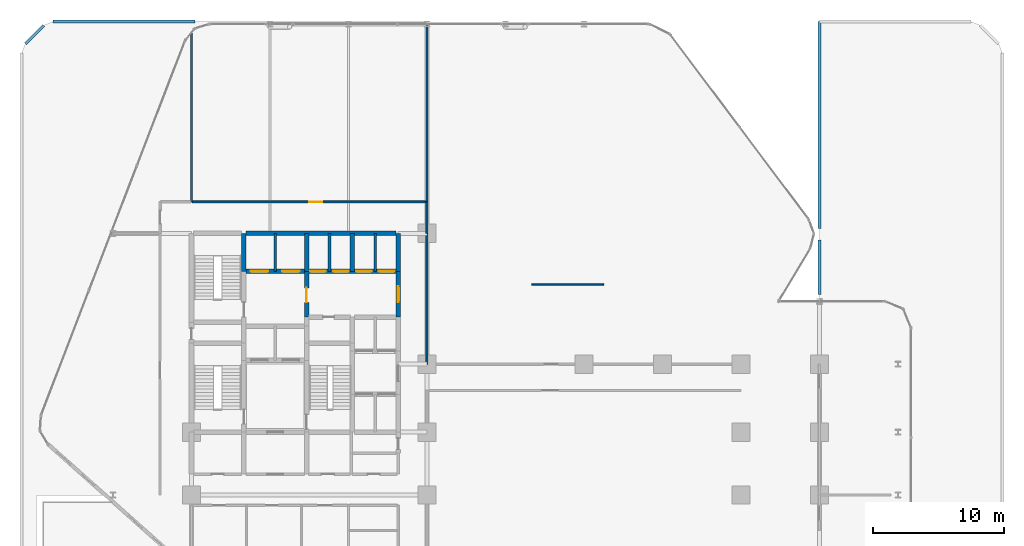
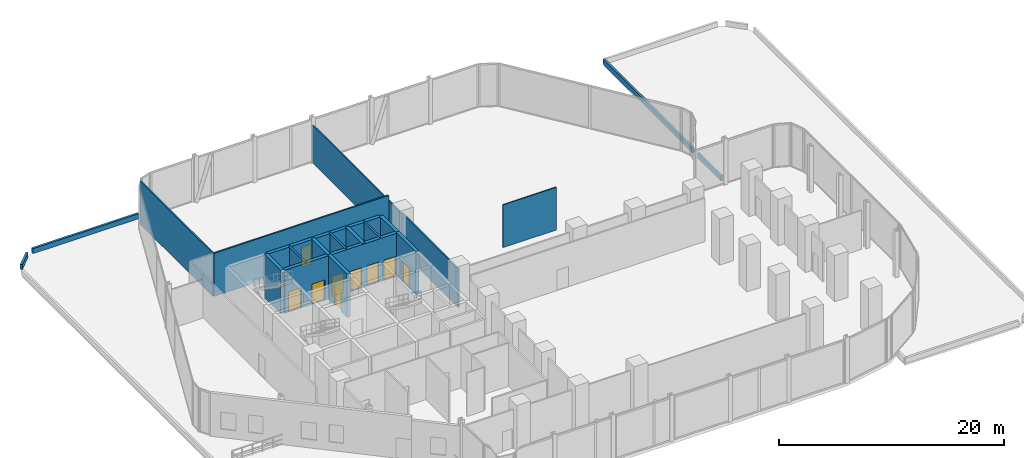
# One storey, part 26 of 29: 21 walls, 9 doors, 9 openings.
"""IFC4 building model written with IfcOpenShell, lengths in metres."""

from ifc_helpers import new_model, si_unit, direction, frame, frame_2d, origin, place, context, subcontext, project, spatial, rectangle, extrude, material, layer, layer_set, type_object, element, fill, save


model = new_model("IFC4")

# Units and contexts
model_context = context("Model", 3, precision=1e-05, world=origin(), true_north=direction((0.0, 1.0)))
body_context = subcontext(model_context, "Body", "Model", "MODEL_VIEW")
ifc_project = project(units=[si_unit("LENGTHUNIT", "METRE"), si_unit("AREAUNIT", "SQUARE_METRE"), si_unit("VOLUMEUNIT", "CUBIC_METRE"), si_unit("PLANEANGLEUNIT", "RADIAN"), si_unit("MASSUNIT", "GRAM", prefix="KILO")], contexts=[model_context])

# Site, building, storey
site_placement = place(None, origin())
site = spatial("IfcSite", under=ifc_project, at=site_placement, CompositionType="ELEMENT")
building_placement = place(site_placement, origin())
building = spatial("IfcBuilding", under=site, at=building_placement, Name="Keshet Zoharim Tower", CompositionType="ELEMENT")
storey_placement = place(building_placement, frame((0.0, 0.0, 19.0)))
storey = spatial("IfcBuildingStorey", under=building, at=storey_placement, Name="L03", CompositionType="ELEMENT", Elevation=19.0)

# Wall
ifc_material_1 = material(Name="Gypsum Plasterboard", Category="gypsum")
ifc_layer_1 = layer(ifc_material_1, 0.14990234375)
ifc_layer_set_1 = layer_set([ifc_layer_1], Name="Gypsum Plasterboard")
wall_type_1 = type_object("IfcWallType", Name="WL-CLIN-150", PredefinedType="STANDARD", material=ifc_layer_set_1)
wall_1_placement = place(storey_placement, frame((33.0, 27.89990234375, 0.0), z_axis=(0.0, 0.0, 1.0), x_axis=(0.0, 1.0, 0.0)))
element("IfcWall", 1, at=wall_1_placement, inside=storey, type_object=wall_type_1, Name="L03 Interior Wall 048", PredefinedType="STANDARD", context=body_context, shape_type="SweptSolid", body=[
    extrude(rectangle(XDim=10.0, YDim=0.14990234375, at=frame_2d((5.0, 0.0))), origin(), (0.0, 0.0, 1.0), 4.18505859375),
])

# Wall, opening, door
wall_2_placement = place(storey_placement, frame((15.044921875, 40.300048828125, 0.0), z_axis=(0.0, 0.0, 1.0), x_axis=(1.0, 0.0, 0.0)))
wall_2 = element("IfcWall", 2, at=wall_2_placement, inside=storey, type_object=wall_type_1, Name="L03 Interior Wall 085", PredefinedType="STANDARD", context=body_context, shape_type="SweptSolid", body=[
    extrude(rectangle(XDim=17.89501953125, YDim=0.14990234375, at=frame_2d((8.947509765625, 0.0))), origin(), (0.0, 0.0, 1.0), 4.68505859375),
])
opening_1_placement = place(wall_2_placement, frame((8.955078125, 0.0, 0.0)))
opening_1 = element("IfcOpeningElement", 3, at=opening_1_placement, cuts=wall_2, Name="Opening D-F310", PredefinedType="OPENING", context=body_context, shape_type="SweptSolid", body=[
    extrude(rectangle(XDim=1.0, YDim=2.14990234375, at=frame_2d((0.5, 1.074951171875))), frame((0.0, 0.0849609375, 0.0), z_axis=(0.0, -1.0, 0.0), x_axis=(1.0, 0.0, 0.0)), (0.0, 0.0, 1.0), 0.169921875),
])
ifc_material_2 = material(Name="Hardwood Timber", Category="wood")
door_type_1 = type_object("IfcDoorType", Name="DR-FD30-100", OperationType="NOTDEFINED", PredefinedType="DOOR", material=ifc_material_2)
door_1_placement = place(opening_1_placement, origin())
door_1 = element("IfcDoor", 4, at=door_1_placement, inside=storey, type_object=door_type_1, Name="L03 Early Childhood Creche Door", OperationType="SINGLE_SWING_LEFT", OverallHeight=2.14990234375, OverallWidth=1.0, PredefinedType="DOOR", context=body_context, shape_type="SweptSolid", body=[
    extrude(rectangle(XDim=1.0, YDim=2.14990234375, at=frame_2d((0.5, 1.074951171875))), frame((0.0, 0.02490234375, 0.0), z_axis=(0.0, -1.0, 0.0), x_axis=(1.0, 0.0, 0.0)), (0.0, 0.0, 1.0), 0.050048828125),
])
fill(opening_1, door_1)

# Walls
wall_3_placement = place(storey_placement, frame((33.0, 37.89990234375, 0.0), z_axis=(0.0, 0.0, 1.0), x_axis=(0.0, 1.0, 0.0)))
element("IfcWall", 5, at=wall_3_placement, inside=storey, type_object=wall_type_1, Name="L03 Interior Wall 048 Part 2", PredefinedType="STANDARD", context=body_context, shape_type="SweptSolid", body=[
    extrude(rectangle(XDim=2.400146484375, YDim=0.14990234375, at=frame_2d((1.2001953125, 0.0))), origin(), (0.0, 0.0, 1.0), 4.0849609375),
])
ifc_material_3 = material(Name="Concrete C60/75", Category="concrete")
ifc_layer_2 = layer(ifc_material_3, 0.35009765625)
ifc_layer_set_2 = layer_set([ifc_layer_2], Name="Concrete C60/75")
wall_type_2 = type_object("IfcWallType", Name="WL-CORE-350", PredefinedType="SHEAR", material=ifc_layer_set_2)
wall_4_placement = place(storey_placement, frame((19.0, 35.0, 0.0), z_axis=(0.0, 0.0, 1.0), x_axis=(0.0, 1.0, 0.0)))
element("IfcWall", 6, at=wall_4_placement, inside=storey, type_object=wall_type_2, Name="L03 Core Shear Wall 013", PredefinedType="SHEAR", context=body_context, shape_type="SweptSolid", body=[
    extrude(rectangle(XDim=2.89990234375, YDim=0.35009765625, at=frame_2d((1.449951171875, 0.0))), origin(), (0.0, 0.0, 1.0), 4.68505859375),
])

# Wall, opening, door
wall_5_placement = place(storey_placement, frame((23.800048828125, 31.5, 0.0), z_axis=(0.0, 0.0, 1.0), x_axis=(0.0, 1.0, 0.0)))
wall_5 = element("IfcWall", 7, at=wall_5_placement, inside=storey, type_object=wall_type_2, Name="L03 Core Shear Wall 023", PredefinedType="SHEAR", context=body_context, shape_type="SweptSolid", body=[
    extrude(rectangle(XDim=3.5, YDim=0.35009765625, at=frame_2d((1.75, 0.0))), origin(), (0.0, 0.0, 1.0), 4.68505859375),
])
opening_2_placement = place(wall_5_placement, frame((1.126953125, 0.0, 0.0)))
opening_2 = element("IfcOpeningElement", 8, at=opening_2_placement, cuts=wall_5, Name="Opening D-F611", PredefinedType="OPENING", context=body_context, shape_type="SweptSolid", body=[
    extrude(rectangle(XDim=1.10009765625, YDim=2.14990234375, at=frame_2d((0.550048828125, 1.074951171875))), frame((0.0, 0.18505859375, 0.0), z_axis=(0.0, -1.0, 0.0), x_axis=(1.0, 0.0, 0.0)), (0.0, 0.0, 1.0), 0.3701171875),
])
door_type_2 = type_object("IfcDoorType", Name="DR-FD60-110", OperationType="NOTDEFINED", PredefinedType="DOOR", material=ifc_material_2)
door_2_placement = place(opening_2_placement, origin())
door_2 = element("IfcDoor", 9, at=door_2_placement, inside=storey, type_object=door_type_2, Name="L03 Firefighting Lobby Fire Door", OperationType="SINGLE_SWING_RIGHT", OverallHeight=2.14990234375, OverallWidth=1.10009765625, PredefinedType="DOOR", context=body_context, shape_type="SweptSolid", body=[
    extrude(rectangle(XDim=1.10009765625, YDim=2.14990234375, at=frame_2d((0.550048828125, 1.074951171875))), frame((0.0, 0.02490234375, 0.0), z_axis=(0.0, -1.0, 0.0), x_axis=(1.0, 0.0, 0.0)), (0.0, 0.0, 1.0), 0.050048828125),
])
fill(opening_2, door_2)

# Walls
for number, where, z_axis, x_axis, name in (
    (10, (23.800048828125, 35.0, 0.0), (0.0, 0.0, 1.0), (0.0, 1.0, 0.0), "L03 Core Shear Wall 024"),
    (11, (27.300048828125, 35.0, 0.0), (0.0, 0.0, 1.0), (0.0, 1.0, 0.0), "L03 Core Shear Wall 034"),
):
    element("IfcWall", number, at=place(storey_placement, frame(where, z_axis=z_axis, x_axis=x_axis)), inside=storey, type_object=wall_type_2, Name=name, PredefinedType="SHEAR", context=body_context, shape_type="SweptSolid", body=[
        extrude(rectangle(XDim=2.89990234375, YDim=0.35009765625, at=frame_2d((1.449951171875, 0.0))), origin(), (0.0, 0.0, 1.0), 4.68505859375),
    ])

# Wall, opening, door
wall_6_placement = place(storey_placement, frame((30.800048828125, 31.5, 0.0), z_axis=(0.0, 0.0, 1.0), x_axis=(0.0, 1.0, 0.0)))
wall_6 = element("IfcWall", 12, at=wall_6_placement, inside=storey, type_object=wall_type_2, Name="L03 Core Shear Wall 045", PredefinedType="SHEAR", context=body_context, shape_type="SweptSolid", body=[
    extrude(rectangle(XDim=3.5, YDim=0.35009765625, at=frame_2d((1.75, 0.0))), origin(), (0.0, 0.0, 1.0), 4.68505859375),
])
opening_3_placement = place(wall_6_placement, frame((1.14990234375, 0.0, 0.0)))
opening_3 = element("IfcOpeningElement", 13, at=opening_3_placement, cuts=wall_6, Name="Opening D-F612", PredefinedType="OPENING", context=body_context, shape_type="SweptSolid", body=[
    extrude(rectangle(XDim=1.199951171875, YDim=2.199951171875, at=frame_2d((0.60009765625, 1.10009765625))), frame((0.0, 0.18505859375, 0.0), z_axis=(0.0, -1.0, 0.0), x_axis=(1.0, 0.0, 0.0)), (0.0, 0.0, 1.0), 0.3701171875),
])
door_type_3 = type_object("IfcDoorType", Name="DR-FD60-120", OperationType="NOTDEFINED", PredefinedType="DOOR", material=ifc_material_2)
door_3_placement = place(opening_3_placement, origin())
door_3 = element("IfcDoor", 14, at=door_3_placement, inside=storey, type_object=door_type_3, Name="L03 North Lift Lobby East Fire Door", OperationType="SINGLE_SWING_LEFT", OverallHeight=2.199951171875, OverallWidth=1.199951171875, PredefinedType="DOOR", context=body_context, shape_type="SweptSolid", body=[
    extrude(rectangle(XDim=1.199951171875, YDim=2.199951171875, at=frame_2d((0.60009765625, 1.10009765625))), frame((0.0, 0.02490234375, 0.0), z_axis=(0.0, -1.0, 0.0), x_axis=(1.0, 0.0, 0.0)), (0.0, 0.0, 1.0), 0.050048828125),
])
fill(opening_3, door_3)

# Wall
wall_7_placement = place(storey_placement, frame((30.800048828125, 35.0, 0.0), z_axis=(0.0, 0.0, 1.0), x_axis=(0.0, 1.0, 0.0)))
element("IfcWall", 15, at=wall_7_placement, inside=storey, type_object=wall_type_2, Name="L03 Core Shear Wall 046", PredefinedType="SHEAR", context=body_context, shape_type="SweptSolid", body=[
    extrude(rectangle(XDim=2.89990234375, YDim=0.35009765625, at=frame_2d((1.449951171875, 0.0))), origin(), (0.0, 0.0, 1.0), 4.68505859375),
])

# Wall, openings, doors
wall_8_placement = place(storey_placement, frame((19.159912109375, 35.0, 0.0), z_axis=(0.0, 0.0, 1.0), x_axis=(1.0, 0.0, 0.0)))
wall_8 = element("IfcWall", 16, at=wall_8_placement, inside=storey, type_object=wall_type_2, Name="L03 Core Shear Wall 080", PredefinedType="SHEAR", context=body_context, shape_type="SweptSolid", body=[
    extrude(rectangle(XDim=11.47998046875, YDim=0.35009765625, at=frame_2d((5.739990234375, 0.0))), origin(), (0.0, 0.0, 1.0), 4.68505859375),
])
opening_4_placement = place(wall_8_placement, frame((0.364990234375, 0.0, 0.0)))
opening_4 = element("IfcOpeningElement", 17, at=opening_4_placement, cuts=wall_8, Name="Opening LD-02", PredefinedType="OPENING", context=body_context, shape_type="SweptSolid", body=[
    extrude(rectangle(XDim=1.35009765625, YDim=2.199951171875, at=frame_2d((0.675048828125, 1.10009765625))), frame((0.0, 0.18505859375, 0.0), z_axis=(0.0, -1.0, 0.0), x_axis=(1.0, 0.0, 0.0)), (0.0, 0.0, 1.0), 0.3701171875),
])
opening_5_placement = place(wall_8_placement, frame((2.764892578125, 0.0, 0.0)))
opening_5 = element("IfcOpeningElement", 18, at=opening_5_placement, cuts=wall_8, Name="Opening LD-02", PredefinedType="OPENING", context=body_context, shape_type="SweptSolid", body=[
    extrude(rectangle(XDim=1.35009765625, YDim=2.199951171875, at=frame_2d((0.675048828125, 1.10009765625))), frame((0.0, 0.18505859375, 0.0), z_axis=(0.0, -1.0, 0.0), x_axis=(1.0, 0.0, 0.0)), (0.0, 0.0, 1.0), 0.3701171875),
])
opening_6_placement = place(wall_8_placement, frame((4.9150390625, 0.0, 0.0)))
opening_6 = element("IfcOpeningElement", 19, at=opening_6_placement, cuts=wall_8, Name="Opening LD-03", PredefinedType="OPENING", context=body_context, shape_type="SweptSolid", body=[
    extrude(rectangle(XDim=1.199951171875, YDim=2.199951171875, at=frame_2d((0.60009765625, 1.10009765625))), frame((0.0, 0.18505859375, 0.0), z_axis=(0.0, -1.0, 0.0), x_axis=(1.0, 0.0, 0.0)), (0.0, 0.0, 1.0), 0.3701171875),
])
opening_7_placement = place(wall_8_placement, frame((6.6650390625, 0.0, 0.0)))
opening_7 = element("IfcOpeningElement", 20, at=opening_7_placement, cuts=wall_8, Name="Opening LD-03", PredefinedType="OPENING", context=body_context, shape_type="SweptSolid", body=[
    extrude(rectangle(XDim=1.199951171875, YDim=2.199951171875, at=frame_2d((0.60009765625, 1.10009765625))), frame((0.0, 0.18505859375, 0.0), z_axis=(0.0, -1.0, 0.0), x_axis=(1.0, 0.0, 0.0)), (0.0, 0.0, 1.0), 0.3701171875),
])
opening_8_placement = place(wall_8_placement, frame((8.4150390625, 0.0, 0.0)))
opening_8 = element("IfcOpeningElement", 21, at=opening_8_placement, cuts=wall_8, Name="Opening LD-03", PredefinedType="OPENING", context=body_context, shape_type="SweptSolid", body=[
    extrude(rectangle(XDim=1.199951171875, YDim=2.199951171875, at=frame_2d((0.60009765625, 1.10009765625))), frame((0.0, 0.18505859375, 0.0), z_axis=(0.0, -1.0, 0.0), x_axis=(1.0, 0.0, 0.0)), (0.0, 0.0, 1.0), 0.3701171875),
])
opening_9_placement = place(wall_8_placement, frame((10.159912109375, 0.0, 0.0)))
opening_9 = element("IfcOpeningElement", 22, at=opening_9_placement, cuts=wall_8, Name="Opening LD-03", PredefinedType="OPENING", context=body_context, shape_type="SweptSolid", body=[
    extrude(rectangle(XDim=1.199951171875, YDim=2.199951171875, at=frame_2d((0.60009765625, 1.10009765625))), frame((0.0, 0.18505859375, 0.0), z_axis=(0.0, -1.0, 0.0), x_axis=(1.0, 0.0, 0.0)), (0.0, 0.0, 1.0), 0.3701171875),
])
ifc_material_4 = material(Name="Steel S355", Category="steel")
door_type_4 = type_object("IfcDoorType", Name="DR-LD02-135", OperationType="DOUBLE_DOOR_SLIDING", PredefinedType="DOOR", material=ifc_material_4)
door_4_placement = place(opening_4_placement, origin())
door_4 = element("IfcDoor", 23, at=door_4_placement, inside=storey, type_object=door_type_4, Name="L03 Firefighting Lift Landing Door FF-01", OperationType="DOUBLE_DOOR_SLIDING", OverallHeight=2.199951171875, OverallWidth=1.35009765625, PredefinedType="DOOR", context=body_context, shape_type="SweptSolid", body=[
    extrude(rectangle(XDim=1.35009765625, YDim=2.199951171875, at=frame_2d((0.675048828125, 1.10009765625))), frame((0.0, 0.02490234375, 0.0), z_axis=(0.0, -1.0, 0.0), x_axis=(1.0, 0.0, 0.0)), (0.0, 0.0, 1.0), 0.050048828125),
])
fill(opening_4, door_4)
door_5_placement = place(opening_5_placement, origin())
door_5 = element("IfcDoor", 24, at=door_5_placement, inside=storey, type_object=door_type_4, Name="L03 Firefighting Lift Landing Door FF-02", OperationType="DOUBLE_DOOR_SLIDING", OverallHeight=2.199951171875, OverallWidth=1.35009765625, PredefinedType="DOOR", context=body_context, shape_type="SweptSolid", body=[
    extrude(rectangle(XDim=1.35009765625, YDim=2.199951171875, at=frame_2d((0.675048828125, 1.10009765625))), frame((0.0, 0.02490234375, 0.0), z_axis=(0.0, -1.0, 0.0), x_axis=(1.0, 0.0, 0.0)), (0.0, 0.0, 1.0), 0.050048828125),
])
fill(opening_5, door_5)
door_type_5 = type_object("IfcDoorType", Name="DR-LD03-120", OperationType="DOUBLE_DOOR_SLIDING", PredefinedType="DOOR", material=ifc_material_4)
door_6_placement = place(opening_6_placement, origin())
door_6 = element("IfcDoor", 25, at=door_6_placement, inside=storey, type_object=door_type_5, Name="L03 Passenger Lift Landing Door LF-01", OperationType="DOUBLE_DOOR_SLIDING", OverallHeight=2.199951171875, OverallWidth=1.199951171875, PredefinedType="DOOR", context=body_context, shape_type="SweptSolid", body=[
    extrude(rectangle(XDim=1.199951171875, YDim=2.199951171875, at=frame_2d((0.60009765625, 1.10009765625))), frame((0.0, 0.02490234375, 0.0), z_axis=(0.0, -1.0, 0.0), x_axis=(1.0, 0.0, 0.0)), (0.0, 0.0, 1.0), 0.050048828125),
])
fill(opening_6, door_6)
door_7_placement = place(opening_7_placement, origin())
door_7 = element("IfcDoor", 26, at=door_7_placement, inside=storey, type_object=door_type_5, Name="L03 Passenger Lift Landing Door LF-02", OperationType="DOUBLE_DOOR_SLIDING", OverallHeight=2.199951171875, OverallWidth=1.199951171875, PredefinedType="DOOR", context=body_context, shape_type="SweptSolid", body=[
    extrude(rectangle(XDim=1.199951171875, YDim=2.199951171875, at=frame_2d((0.60009765625, 1.10009765625))), frame((0.0, 0.02490234375, 0.0), z_axis=(0.0, -1.0, 0.0), x_axis=(1.0, 0.0, 0.0)), (0.0, 0.0, 1.0), 0.050048828125),
])
fill(opening_7, door_7)
door_8_placement = place(opening_8_placement, origin())
door_8 = element("IfcDoor", 27, at=door_8_placement, inside=storey, type_object=door_type_5, Name="L03 Passenger Lift Landing Door LF-03", OperationType="DOUBLE_DOOR_SLIDING", OverallHeight=2.199951171875, OverallWidth=1.199951171875, PredefinedType="DOOR", context=body_context, shape_type="SweptSolid", body=[
    extrude(rectangle(XDim=1.199951171875, YDim=2.199951171875, at=frame_2d((0.60009765625, 1.10009765625))), frame((0.0, 0.02490234375, 0.0), z_axis=(0.0, -1.0, 0.0), x_axis=(1.0, 0.0, 0.0)), (0.0, 0.0, 1.0), 0.050048828125),
])
fill(opening_8, door_8)
door_9_placement = place(opening_9_placement, origin())
door_9 = element("IfcDoor", 28, at=door_9_placement, inside=storey, type_object=door_type_5, Name="L03 Passenger Lift Landing Door LF-04", OperationType="DOUBLE_DOOR_SLIDING", OverallHeight=2.199951171875, OverallWidth=1.199951171875, PredefinedType="DOOR", context=body_context, shape_type="SweptSolid", body=[
    extrude(rectangle(XDim=1.199951171875, YDim=2.199951171875, at=frame_2d((0.60009765625, 1.10009765625))), frame((0.0, 0.02490234375, 0.0), z_axis=(0.0, -1.0, 0.0), x_axis=(1.0, 0.0, 0.0)), (0.0, 0.0, 1.0), 0.050048828125),
])
fill(opening_9, door_9)

# Walls
wall_9_placement = place(storey_placement, frame((19.159912109375, 37.89990234375, 0.0), z_axis=(0.0, 0.0, 1.0), x_axis=(1.0, 0.0, 0.0)))
element("IfcWall", 29, at=wall_9_placement, inside=storey, type_object=wall_type_2, Name="L03 Core Shear Wall 083", PredefinedType="SHEAR", context=body_context, shape_type="SweptSolid", body=[
    extrude(rectangle(XDim=11.47998046875, YDim=0.35009765625, at=frame_2d((5.739990234375, 0.0))), origin(), (0.0, 0.0, 1.0), 4.68505859375),
])
ifc_material_5 = material(Name="Concrete C50/60", Category="concrete")
ifc_layer_3 = layer(ifc_material_5, 0.199951171875)
ifc_layer_set_3 = layer_set([ifc_layer_3], Name="Concrete C50/60")
wall_type_3 = type_object("IfcWallType", Name="WL-FIRE-200", PredefinedType="STANDARD", material=ifc_layer_set_3)
for number, where, z_axis, x_axis, name in (
    (30, (21.39990234375, 35.0, 0.0), (0.0, 0.0, 1.0), (0.0, 1.0, 0.0), "L03 Interior Wall 016"),
    (31, (25.550048828125, 35.0, 0.0), (0.0, 0.0, 1.0), (0.0, 1.0, 0.0), "L03 Interior Wall 025"),
    (32, (29.050048828125, 35.0, 0.0), (0.0, 0.0, 1.0), (0.0, 1.0, 0.0), "L03 Interior Wall 037"),
):
    element("IfcWall", number, at=place(storey_placement, frame(where, z_axis=z_axis, x_axis=x_axis)), inside=storey, type_object=wall_type_3, Name=name, PredefinedType="STANDARD", context=body_context, shape_type="SweptSolid", body=[
        extrude(rectangle(XDim=2.89990234375, YDim=0.199951171875, at=frame_2d((1.449951171875, 0.0))), origin(), (0.0, 0.0, 1.0), 4.68505859375),
    ])
ifc_layer_4 = layer(ifc_material_1, 0.10009765625)
ifc_layer_set_4 = layer_set([ifc_layer_4], Name="Gypsum Plasterboard")
wall_type_4 = type_object("IfcWallType", Name="WL-MOV-100", PredefinedType="MOVABLE", material=ifc_layer_set_4)
wall_10_placement = place(storey_placement, frame((41.0, 34.0, 0.0), z_axis=(0.0, 0.0, 1.0), x_axis=(1.0, 0.0, 0.0)))
element("IfcWall", 33, at=wall_10_placement, inside=storey, type_object=wall_type_4, Name="L03 Community Hall Movable Acoustic Partition", PredefinedType="MOVABLE", context=body_context, shape_type="SweptSolid", body=[
    extrude(rectangle(XDim=5.5, YDim=0.10009765625, at=frame_2d((2.75, 0.0))), origin(), (0.0, 0.0, 1.0), 4.635009765625),
])
ifc_material_6 = material(Name="Concrete C50/60 precast", Category="concrete")
ifc_layer_5 = layer(ifc_material_6, 0.219970703125)
ifc_layer_set_5 = layer_set([ifc_layer_5], Name="Concrete C50/60 precast")
wall_type_5 = type_object("IfcWallType", Name="WL-PAR-220", PredefinedType="PARAPET", material=ifc_layer_set_5)
wall_11_placement = place(storey_placement, frame((2.29296875, 52.39306640625, 0.0), z_axis=(0.0, 0.0, 1.0), x_axis=(0.707167825498, 0.707045731605, 0.0)))
element("IfcWall", 34, at=wall_11_placement, inside=storey, type_object=wall_type_5, Name="L03 Setback Roof Parapet 01", PredefinedType="PARAPET", context=body_context, shape_type="SweptSolid", body=[
    extrude(rectangle(XDim=1.99951171875, YDim=0.219970703125, at=frame_2d((0.999755859375, 0.0))), origin(), (0.0, 0.0, 1.0), 0.550048828125),
])
wall_12_placement = place(storey_placement, frame((4.4140625, 54.10009765625, 0.0), z_axis=(0.0, 0.0, 1.0), x_axis=(1.0, 0.0, 0.0)))
element("IfcWall", 35, at=wall_12_placement, inside=storey, type_object=wall_type_5, Name="L03 Setback Roof Parapet 02", PredefinedType="PARAPET", context=body_context, shape_type="SweptSolid", body=[
    extrude(rectangle(XDim=10.847900390625, YDim=0.219970703125, at=frame_2d((5.423828125, 0.0))), origin(), (0.0, 0.0, 1.0), 0.550048828125),
])
wall_13_placement = place(storey_placement, frame((63.0, 33.219970703125, 0.0), z_axis=(0.0, 0.0, 1.0), x_axis=(0.0, 1.0, 0.0)))
element("IfcWall", 36, at=wall_13_placement, inside=storey, type_object=wall_type_5, Name="L03 Setback Roof Parapet 10", PredefinedType="PARAPET", context=body_context, shape_type="SweptSolid", body=[
    extrude(rectangle(XDim=4.154052734375, YDim=0.219970703125, at=frame_2d((2.0771484375, 0.0))), origin(), (0.0, 0.0, 1.0), 0.550048828125),
])
wall_14_placement = place(storey_placement, frame((63.0, 38.27392578125, 0.0), z_axis=(0.0, 0.0, 1.0), x_axis=(0.0, 1.0, 0.0)))
element("IfcWall", 37, at=wall_14_placement, inside=storey, type_object=wall_type_5, Name="L03 Setback Roof Parapet 11", PredefinedType="PARAPET", context=body_context, shape_type="SweptSolid", body=[
    extrude(rectangle(XDim=15.826171875, YDim=0.219970703125, at=frame_2d((7.9130859375, 0.0))), origin(), (0.0, 0.0, 1.0), 0.550048828125),
])
ifc_layer_6 = layer(ifc_material_1, 0.1201171875)
ifc_layer_set_6 = layer_set([ifc_layer_6], Name="Gypsum Plasterboard")
wall_type_6 = type_object("IfcWallType", Name="WL-PART-120", PredefinedType="PARTITIONING", material=ifc_layer_set_6)
wall_15_placement = place(storey_placement, frame((15.0, 40.300048828125, 0.0), z_axis=(0.0, 0.0, 1.0), x_axis=(0.0, 1.0, 0.0)))
element("IfcWall", 38, at=wall_15_placement, inside=storey, type_object=wall_type_6, Name="L03 Interior Wall 008", PredefinedType="PARTITIONING", context=body_context, shape_type="SweptSolid", body=[
    extrude(rectangle(XDim=12.932861328125, YDim=0.1201171875, at=frame_2d((6.46630859375, 0.0))), origin(), (0.0, 0.0, 1.0), 4.68505859375),
])
wall_16_placement = place(storey_placement, frame((33.0, 40.300048828125, 0.0), z_axis=(0.0, 0.0, 1.0), x_axis=(0.0, 1.0, 0.0)))
element("IfcWall", 39, at=wall_16_placement, inside=storey, type_object=wall_type_6, Name="L03 Interior Wall 049", PredefinedType="PARTITIONING", context=body_context, shape_type="SweptSolid", body=[
    extrude(rectangle(XDim=13.58984375, YDim=0.1201171875, at=frame_2d((6.794921875, 0.0))), origin(), (0.0, 0.0, 1.0), 4.0849609375),
])

save(model, "model.ifc")
